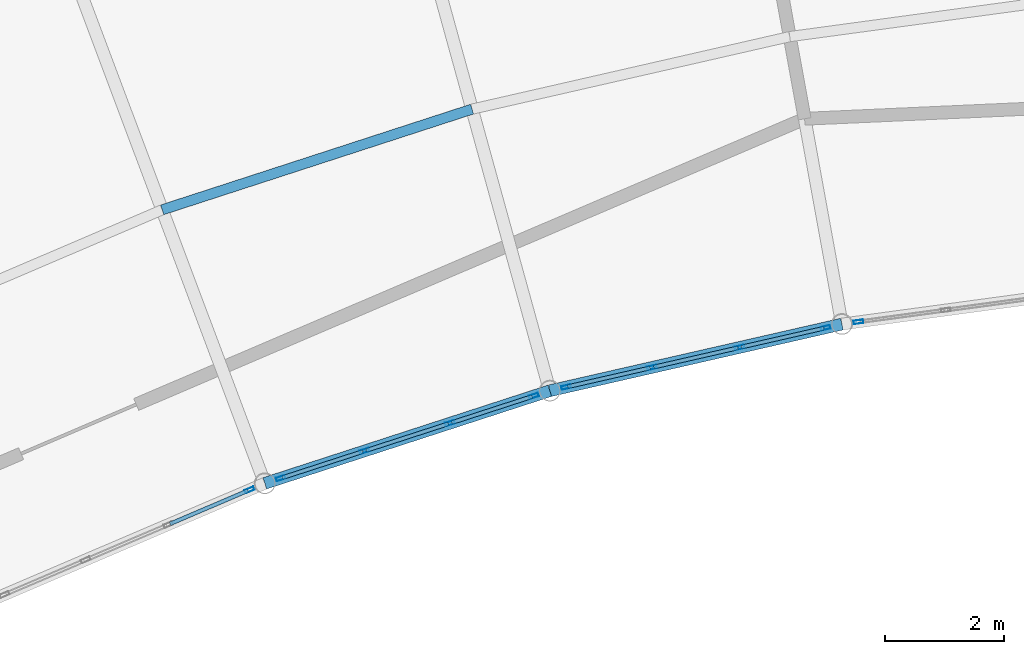
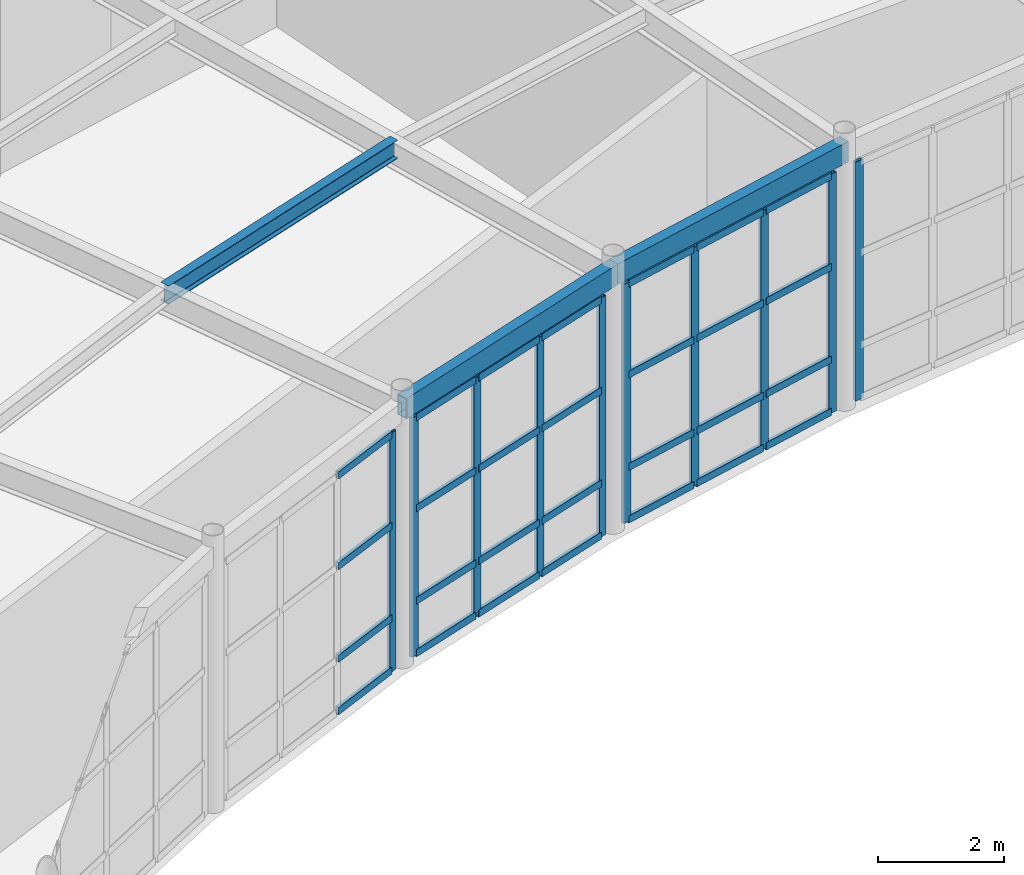
# One storey, part 46 of 87: 38 members, 3 beams, 4 elements without a shape of their own.
"""IFC4 building model written with IfcOpenShell, lengths in metres."""

from ifc_helpers import new_model, si_unit, direction, frame, origin, origin_2d, place, context, subcontext, project, spatial, hollow_rectangle, i_section, extrude, material, layer, layer_set, material_profile, profile_set, type_object, element, aggregate, save


model = new_model("IFC4")

# Units and contexts
model_context = context("Model", 3, precision=1e-05, world=origin(), true_north=direction((0.0, 1.0)))
body_context = subcontext(model_context, "Body", "Model", "MODEL_VIEW")
ifc_project = project(units=[si_unit("LENGTHUNIT", "METRE"), si_unit("AREAUNIT", "SQUARE_METRE"), si_unit("VOLUMEUNIT", "CUBIC_METRE"), si_unit("PLANEANGLEUNIT", "RADIAN"), si_unit("MASSUNIT", "GRAM", prefix="KILO")], contexts=[model_context])

# Site, building, storey
site_placement = place(None, origin())
site = spatial("IfcSite", under=ifc_project, at=site_placement, CompositionType="ELEMENT")
building_placement = place(site_placement, origin())
building = spatial("IfcBuilding", under=site, at=building_placement, Name="Selat Folded Stagehouse", CompositionType="ELEMENT")
storey_placement = place(building_placement, origin())
storey = spatial("IfcBuildingStorey", under=building, at=storey_placement, Name="L00", CompositionType="ELEMENT", Elevation=0.0)

# Curtain wall, member
ifc_material_1 = material(Name="Aluminium 6063-T6", Category="aluminium")
ifc_layer = layer(ifc_material_1, 0.18994140625)
ifc_layer_set = layer_set([ifc_layer], Name="Aluminium 6063-T6")
curtain_wall_type = type_object("IfcCurtainWallType", Name="CW-REH-ARC", PredefinedType="NOTDEFINED", material=ifc_layer_set)
curtain_wall_1_placement = place(storey_placement, origin())
curtain_wall_1 = element("IfcCurtainWall", 1, at=curtain_wall_1_placement, inside=storey, type_object=curtain_wall_type, Name="L00 curtain wall CW-REH-L00-02", PredefinedType="NOTDEFINED")
ifc_material_profile_1 = material_profile(ifc_material_1, hollow_rectangle(XDim=0.06005859375, YDim=0.159912109375, WallThickness=0.00390625, at=origin_2d()), Name="ALU 160x60x4.0")
ifc_profile_set_1 = profile_set([ifc_material_profile_1], Name="Aluminium 6063-T6")
member_type_1 = type_object("IfcMemberType", Name="CWM-MUL-160x60", PredefinedType="MULLION", material=ifc_profile_set_1)
member_1_placement = place(storey_placement, frame((72.465576171875, 90.319091796875, 0.0), z_axis=(0.0, 0.0, 1.0), x_axis=(0.393012226483, -0.919533245639, 0.0)))
member_1 = element("IfcMember", 2, at=member_1_placement, type_object=member_type_1, Name="CW-06 mullion 1", PredefinedType="MULLION", context=body_context, shape_type="SweptSolid", body=[
    extrude(hollow_rectangle(XDim=0.06005859375, YDim=0.159912109375, WallThickness=0.00390625, at=origin_2d()), origin(), (0.0, 0.0, 1.0), 4.64990234375),
])

# Curtain wall, members
curtain_wall_2_placement = place(storey_placement, origin())
curtain_wall_2 = element("IfcCurtainWall", 3, at=curtain_wall_2_placement, inside=storey, type_object=curtain_wall_type, Name="L00 curtain wall CW-REH-L00-03", PredefinedType="NOTDEFINED")
member_2_placement = place(storey_placement, frame((77.235595703125, 91.895263671875, 0.0), z_axis=(0.0, 0.0, 1.0), x_axis=(0.308991620714, -0.951064760323, 0.0)))
member_2 = element("IfcMember", 4, at=member_2_placement, type_object=member_type_1, Name="CW-06 mullion 1", PredefinedType="MULLION", context=body_context, shape_type="SweptSolid", body=[
    extrude(hollow_rectangle(XDim=0.06005859375, YDim=0.159912109375, WallThickness=0.00390625, at=origin_2d()), origin(), (0.0, 0.0, 1.0), 4.64990234375),
])
member_3_placement = place(storey_placement, frame((75.82958984375, 91.4384765625, 0.0), z_axis=(0.0, 0.0, 1.0), x_axis=(0.308991620714, -0.951064760323, 0.0)))
member_3 = element("IfcMember", 5, at=member_3_placement, type_object=member_type_1, Name="CW-06 mullion 2", PredefinedType="MULLION", context=body_context, shape_type="SweptSolid", body=[
    extrude(hollow_rectangle(XDim=0.06005859375, YDim=0.159912109375, WallThickness=0.00390625, at=origin_2d()), origin(), (0.0, 0.0, 1.0), 4.64990234375),
])
member_4_placement = place(storey_placement, frame((74.395263671875, 90.972412109375, 0.0), z_axis=(0.0, 0.0, 1.0), x_axis=(0.308991620714, -0.951064760323, 0.0)))
member_4 = element("IfcMember", 6, at=member_4_placement, type_object=member_type_1, Name="CW-06 mullion 3", PredefinedType="MULLION", context=body_context, shape_type="SweptSolid", body=[
    extrude(hollow_rectangle(XDim=0.06005859375, YDim=0.159912109375, WallThickness=0.00390625, at=origin_2d()), origin(), (0.0, 0.0, 1.0), 4.64990234375),
])
member_5_placement = place(storey_placement, frame((72.9892578125, 90.515869140625, 0.0), z_axis=(0.0, 0.0, 1.0), x_axis=(0.308991620714, -0.951064760323, 0.0)))
member_5 = element("IfcMember", 7, at=member_5_placement, type_object=member_type_1, Name="CW-06 mullion 4", PredefinedType="MULLION", context=body_context, shape_type="SweptSolid", body=[
    extrude(hollow_rectangle(XDim=0.06005859375, YDim=0.159912109375, WallThickness=0.00390625, at=origin_2d()), origin(), (0.0, 0.0, 1.0), 4.64990234375),
])

curtain_wall_3_placement = place(storey_placement, origin())
curtain_wall_3 = element("IfcCurtainWall", 8, at=curtain_wall_3_placement, inside=storey, type_object=curtain_wall_type, Name="L00 curtain wall CW-REH-L00-04", PredefinedType="NOTDEFINED")
member_6_placement = place(storey_placement, frame((82.1279296875, 93.037841796875, 0.0), z_axis=(0.0, 0.0, 1.0), x_axis=(0.222542761079, -0.974922930026, 0.0)))
member_6 = element("IfcMember", 9, at=member_6_placement, type_object=member_type_1, Name="CW-06 mullion 1", PredefinedType="MULLION", context=body_context, shape_type="SweptSolid", body=[
    extrude(hollow_rectangle(XDim=0.06005859375, YDim=0.159912109375, WallThickness=0.00390625, at=origin_2d()), origin(), (0.0, 0.0, 1.0), 4.64990234375),
])
member_7_placement = place(storey_placement, frame((80.6865234375, 92.708740234375, 0.0), z_axis=(0.0, 0.0, 1.0), x_axis=(0.222542761079, -0.974922930026, 0.0)))
member_7 = element("IfcMember", 10, at=member_7_placement, type_object=member_type_1, Name="CW-06 mullion 2", PredefinedType="MULLION", context=body_context, shape_type="SweptSolid", body=[
    extrude(hollow_rectangle(XDim=0.06005859375, YDim=0.159912109375, WallThickness=0.00390625, at=origin_2d()), origin(), (0.0, 0.0, 1.0), 4.64990234375),
])
member_8_placement = place(storey_placement, frame((79.216064453125, 92.373046875, 0.0), z_axis=(0.0, 0.0, 1.0), x_axis=(0.222542761079, -0.974922930026, 0.0)))
member_8 = element("IfcMember", 11, at=member_8_placement, type_object=member_type_1, Name="CW-06 mullion 3", PredefinedType="MULLION", context=body_context, shape_type="SweptSolid", body=[
    extrude(hollow_rectangle(XDim=0.06005859375, YDim=0.159912109375, WallThickness=0.00390625, at=origin_2d()), origin(), (0.0, 0.0, 1.0), 4.64990234375),
])
member_9_placement = place(storey_placement, frame((77.77490234375, 92.044189453125, 0.0), z_axis=(0.0, 0.0, 1.0), x_axis=(0.222542761079, -0.974922930026, 0.0)))
member_9 = element("IfcMember", 12, at=member_9_placement, type_object=member_type_1, Name="CW-06 mullion 4", PredefinedType="MULLION", context=body_context, shape_type="SweptSolid", body=[
    extrude(hollow_rectangle(XDim=0.06005859375, YDim=0.159912109375, WallThickness=0.00390625, at=origin_2d()), origin(), (0.0, 0.0, 1.0), 4.64990234375),
])

# Curtain wall, member
curtain_wall_4_placement = place(storey_placement, origin())
curtain_wall_4 = element("IfcCurtainWall", 13, at=curtain_wall_4_placement, inside=storey, type_object=curtain_wall_type, Name="L00 curtain wall CW-REH-L00-05", PredefinedType="NOTDEFINED")
member_10_placement = place(storey_placement, frame((82.67822265625, 93.1376953125, 0.0), z_axis=(0.0, 0.0, 1.0), x_axis=(0.134211766018, -0.990952673876, 0.0)))
member_10 = element("IfcMember", 14, at=member_10_placement, type_object=member_type_1, Name="CW-06 mullion 4", PredefinedType="MULLION", context=body_context, shape_type="SweptSolid", body=[
    extrude(hollow_rectangle(XDim=0.06005859375, YDim=0.159912109375, WallThickness=0.00390625, at=origin_2d()), origin(), (0.0, 0.0, 1.0), 4.64990234375),
])
aggregate(curtain_wall_4, [member_10])

# Member
ifc_material_profile_2 = material_profile(ifc_material_1, hollow_rectangle(XDim=0.06494140625, YDim=0.139892578125, WallThickness=0.00390625, at=origin_2d()), Name="ALU 140x65x4.0")
ifc_profile_set_2 = profile_set([ifc_material_profile_2], Name="Aluminium 6063-T6")
member_type_2 = type_object("IfcMemberType", Name="CWM-TRN-140x65", PredefinedType="USERDEFINED", material=ifc_profile_set_2)
member_11_placement = place(storey_placement, frame((72.43798828125, 90.307373046875, 0.032470703125), z_axis=(-0.919545213655, -0.392984223657, 0.0), x_axis=(0.392984223657, -0.919545213655, 0.0)))
member_11 = element("IfcMember", 15, at=member_11_placement, type_object=member_type_2, Name="CW-06 transom 1.1", ObjectType="TRANSOM", PredefinedType="USERDEFINED", context=body_context, shape_type="SweptSolid", body=[
    extrude(hollow_rectangle(XDim=0.06494140625, YDim=0.139892578125, WallThickness=0.00390625, at=origin_2d()), origin(), (0.0, 0.0, 1.0), 1.418212890625),
])

member_12_placement = place(storey_placement, frame((72.43798828125, 90.307373046875, 1.050048828125), z_axis=(-0.919545213655, -0.392984223657, 0.0), x_axis=(0.392984223657, -0.919545213655, 0.0)))
member_12 = element("IfcMember", 16, at=member_12_placement, type_object=member_type_2, Name="CW-06 transom 1.2", ObjectType="TRANSOM", PredefinedType="USERDEFINED", context=body_context, shape_type="SweptSolid", body=[
    extrude(hollow_rectangle(XDim=0.06494140625, YDim=0.139892578125, WallThickness=0.00390625, at=origin_2d()), origin(), (0.0, 0.0, 1.0), 1.418212890625),
])

member_13_placement = place(storey_placement, frame((72.43798828125, 90.307373046875, 2.85009765625), z_axis=(-0.919545213655, -0.392984223657, 0.0), x_axis=(0.392984223657, -0.919545213655, 0.0)))
member_13 = element("IfcMember", 17, at=member_13_placement, type_object=member_type_2, Name="CW-06 transom 1.3", ObjectType="TRANSOM", PredefinedType="USERDEFINED", context=body_context, shape_type="SweptSolid", body=[
    extrude(hollow_rectangle(XDim=0.06494140625, YDim=0.139892578125, WallThickness=0.00390625, at=origin_2d()), origin(), (0.0, 0.0, 1.0), 1.418212890625),
])

member_14_placement = place(storey_placement, frame((72.43798828125, 90.307373046875, 4.617431640625), z_axis=(-0.919545213655, -0.392984223657, 0.0), x_axis=(0.392984223657, -0.919545213655, 0.0)))
member_14 = element("IfcMember", 18, at=member_14_placement, type_object=member_type_2, Name="CW-06 transom 1.4", ObjectType="TRANSOM", PredefinedType="USERDEFINED", context=body_context, shape_type="SweptSolid", body=[
    extrude(hollow_rectangle(XDim=0.06494140625, YDim=0.139892578125, WallThickness=0.00390625, at=origin_2d()), origin(), (0.0, 0.0, 1.0), 1.418212890625),
])

aggregate(curtain_wall_1, [member_1, member_11, member_12, member_13, member_14])

member_15_placement = place(storey_placement, frame((77.20703125, 91.885986328125, 0.032470703125), z_axis=(-0.951065688988, -0.308988762305, 0.0), x_axis=(0.308988762305, -0.951065688988, 0.0)))
member_15 = element("IfcMember", 19, at=member_15_placement, type_object=member_type_2, Name="CW-06 transom 1.1", ObjectType="TRANSOM", PredefinedType="USERDEFINED", context=body_context, shape_type="SweptSolid", body=[
    extrude(hollow_rectangle(XDim=0.06494140625, YDim=0.139892578125, WallThickness=0.00390625, at=origin_2d()), origin(), (0.0, 0.0, 1.0), 1.418212890625),
])

member_16_placement = place(storey_placement, frame((77.20703125, 91.885986328125, 1.050048828125), z_axis=(-0.951065688988, -0.308988762305, 0.0), x_axis=(0.308988762305, -0.951065688988, 0.0)))
member_16 = element("IfcMember", 20, at=member_16_placement, type_object=member_type_2, Name="CW-06 transom 1.2", ObjectType="TRANSOM", PredefinedType="USERDEFINED", context=body_context, shape_type="SweptSolid", body=[
    extrude(hollow_rectangle(XDim=0.06494140625, YDim=0.139892578125, WallThickness=0.00390625, at=origin_2d()), origin(), (0.0, 0.0, 1.0), 1.418212890625),
])

member_17_placement = place(storey_placement, frame((77.20703125, 91.885986328125, 2.85009765625), z_axis=(-0.951065688988, -0.308988762305, 0.0), x_axis=(0.308988762305, -0.951065688988, 0.0)))
member_17 = element("IfcMember", 21, at=member_17_placement, type_object=member_type_2, Name="CW-06 transom 1.3", ObjectType="TRANSOM", PredefinedType="USERDEFINED", context=body_context, shape_type="SweptSolid", body=[
    extrude(hollow_rectangle(XDim=0.06494140625, YDim=0.139892578125, WallThickness=0.00390625, at=origin_2d()), origin(), (0.0, 0.0, 1.0), 1.418212890625),
])

member_18_placement = place(storey_placement, frame((77.20703125, 91.885986328125, 4.617431640625), z_axis=(-0.951065688988, -0.308988762305, 0.0), x_axis=(0.308988762305, -0.951065688988, 0.0)))
member_18 = element("IfcMember", 22, at=member_18_placement, type_object=member_type_2, Name="CW-06 transom 1.4", ObjectType="TRANSOM", PredefinedType="USERDEFINED", context=body_context, shape_type="SweptSolid", body=[
    extrude(hollow_rectangle(XDim=0.06494140625, YDim=0.139892578125, WallThickness=0.00390625, at=origin_2d()), origin(), (0.0, 0.0, 1.0), 1.418212890625),
])

member_19_placement = place(storey_placement, frame((75.801025390625, 91.42919921875, 0.032470703125), z_axis=(-0.951050174126, -0.309036512883, 0.0), x_axis=(0.309036512883, -0.951050174126, 0.0)))
member_19 = element("IfcMember", 23, at=member_19_placement, type_object=member_type_2, Name="CW-06 transom 2.1", ObjectType="TRANSOM", PredefinedType="USERDEFINED", context=body_context, shape_type="SweptSolid", body=[
    extrude(hollow_rectangle(XDim=0.06494140625, YDim=0.139892578125, WallThickness=0.00390625, at=origin_2d()), origin(), (0.0, 0.0, 1.0), 1.447998046875),
])

member_20_placement = place(storey_placement, frame((75.801025390625, 91.42919921875, 1.050048828125), z_axis=(-0.951050174126, -0.309036512883, 0.0), x_axis=(0.309036512883, -0.951050174126, 0.0)))
member_20 = element("IfcMember", 24, at=member_20_placement, type_object=member_type_2, Name="CW-06 transom 2.2", ObjectType="TRANSOM", PredefinedType="USERDEFINED", context=body_context, shape_type="SweptSolid", body=[
    extrude(hollow_rectangle(XDim=0.06494140625, YDim=0.139892578125, WallThickness=0.00390625, at=origin_2d()), origin(), (0.0, 0.0, 1.0), 1.447998046875),
])

member_21_placement = place(storey_placement, frame((75.801025390625, 91.42919921875, 2.85009765625), z_axis=(-0.951050174126, -0.309036512883, 0.0), x_axis=(0.309036512883, -0.951050174126, 0.0)))
member_21 = element("IfcMember", 25, at=member_21_placement, type_object=member_type_2, Name="CW-06 transom 2.3", ObjectType="TRANSOM", PredefinedType="USERDEFINED", context=body_context, shape_type="SweptSolid", body=[
    extrude(hollow_rectangle(XDim=0.06494140625, YDim=0.139892578125, WallThickness=0.00390625, at=origin_2d()), origin(), (0.0, 0.0, 1.0), 1.447998046875),
])

member_22_placement = place(storey_placement, frame((75.801025390625, 91.42919921875, 4.617431640625), z_axis=(-0.951050174126, -0.309036512883, 0.0), x_axis=(0.309036512883, -0.951050174126, 0.0)))
member_22 = element("IfcMember", 26, at=member_22_placement, type_object=member_type_2, Name="CW-06 transom 2.4", ObjectType="TRANSOM", PredefinedType="USERDEFINED", context=body_context, shape_type="SweptSolid", body=[
    extrude(hollow_rectangle(XDim=0.06494140625, YDim=0.139892578125, WallThickness=0.00390625, at=origin_2d()), origin(), (0.0, 0.0, 1.0), 1.447998046875),
])

member_23_placement = place(storey_placement, frame((74.36669921875, 90.96337890625, 0.032470703125), z_axis=(-0.951065688988, -0.308988762305, 0.0), x_axis=(0.308988762305, -0.951065688988, 0.0)))
member_23 = element("IfcMember", 27, at=member_23_placement, type_object=member_type_2, Name="CW-06 transom 3.1", ObjectType="TRANSOM", PredefinedType="USERDEFINED", context=body_context, shape_type="SweptSolid", body=[
    extrude(hollow_rectangle(XDim=0.06494140625, YDim=0.139892578125, WallThickness=0.00390625, at=origin_2d()), origin(), (0.0, 0.0, 1.0), 1.418212890625),
])

member_24_placement = place(storey_placement, frame((74.36669921875, 90.96337890625, 1.050048828125), z_axis=(-0.951065688988, -0.308988762305, 0.0), x_axis=(0.308988762305, -0.951065688988, 0.0)))
member_24 = element("IfcMember", 28, at=member_24_placement, type_object=member_type_2, Name="CW-06 transom 3.2", ObjectType="TRANSOM", PredefinedType="USERDEFINED", context=body_context, shape_type="SweptSolid", body=[
    extrude(hollow_rectangle(XDim=0.06494140625, YDim=0.139892578125, WallThickness=0.00390625, at=origin_2d()), origin(), (0.0, 0.0, 1.0), 1.418212890625),
])

member_25_placement = place(storey_placement, frame((74.36669921875, 90.96337890625, 2.85009765625), z_axis=(-0.951065688988, -0.308988762305, 0.0), x_axis=(0.308988762305, -0.951065688988, 0.0)))
member_25 = element("IfcMember", 29, at=member_25_placement, type_object=member_type_2, Name="CW-06 transom 3.3", ObjectType="TRANSOM", PredefinedType="USERDEFINED", context=body_context, shape_type="SweptSolid", body=[
    extrude(hollow_rectangle(XDim=0.06494140625, YDim=0.139892578125, WallThickness=0.00390625, at=origin_2d()), origin(), (0.0, 0.0, 1.0), 1.418212890625),
])

member_26_placement = place(storey_placement, frame((74.36669921875, 90.96337890625, 4.617431640625), z_axis=(-0.951065688988, -0.308988762305, 0.0), x_axis=(0.308988762305, -0.951065688988, 0.0)))
member_26 = element("IfcMember", 30, at=member_26_placement, type_object=member_type_2, Name="CW-06 transom 3.4", ObjectType="TRANSOM", PredefinedType="USERDEFINED", context=body_context, shape_type="SweptSolid", body=[
    extrude(hollow_rectangle(XDim=0.06494140625, YDim=0.139892578125, WallThickness=0.00390625, at=origin_2d()), origin(), (0.0, 0.0, 1.0), 1.418212890625),
])

aggregate(curtain_wall_2, [member_2, member_3, member_4, member_5, member_15, member_16, member_17, member_18, member_19, member_20, member_21, member_22, member_23, member_24, member_25, member_26])

member_27_placement = place(storey_placement, frame((82.0986328125, 93.03125, 0.032470703125), z_axis=(-0.974919361771, -0.222558392438, 0.0), x_axis=(0.222558392438, -0.974919361771, 0.0)))
member_27 = element("IfcMember", 31, at=member_27_placement, type_object=member_type_2, Name="CW-06 transom 1.1", ObjectType="TRANSOM", PredefinedType="USERDEFINED", context=body_context, shape_type="SweptSolid", body=[
    extrude(hollow_rectangle(XDim=0.06494140625, YDim=0.139892578125, WallThickness=0.00390625, at=origin_2d()), origin(), (0.0, 0.0, 1.0), 1.41845703125),
])

member_28_placement = place(storey_placement, frame((82.0986328125, 93.03125, 1.050048828125), z_axis=(-0.974919361771, -0.222558392438, 0.0), x_axis=(0.222558392438, -0.974919361771, 0.0)))
member_28 = element("IfcMember", 32, at=member_28_placement, type_object=member_type_2, Name="CW-06 transom 1.2", ObjectType="TRANSOM", PredefinedType="USERDEFINED", context=body_context, shape_type="SweptSolid", body=[
    extrude(hollow_rectangle(XDim=0.06494140625, YDim=0.139892578125, WallThickness=0.00390625, at=origin_2d()), origin(), (0.0, 0.0, 1.0), 1.41845703125),
])

member_29_placement = place(storey_placement, frame((82.0986328125, 93.03125, 2.85009765625), z_axis=(-0.974919361771, -0.222558392438, 0.0), x_axis=(0.222558392438, -0.974919361771, 0.0)))
member_29 = element("IfcMember", 33, at=member_29_placement, type_object=member_type_2, Name="CW-06 transom 1.3", ObjectType="TRANSOM", PredefinedType="USERDEFINED", context=body_context, shape_type="SweptSolid", body=[
    extrude(hollow_rectangle(XDim=0.06494140625, YDim=0.139892578125, WallThickness=0.00390625, at=origin_2d()), origin(), (0.0, 0.0, 1.0), 1.41845703125),
])

member_30_placement = place(storey_placement, frame((82.0986328125, 93.03125, 4.617431640625), z_axis=(-0.974919361771, -0.222558392438, 0.0), x_axis=(0.222558392438, -0.974919361771, 0.0)))
member_30 = element("IfcMember", 34, at=member_30_placement, type_object=member_type_2, Name="CW-06 transom 1.4", ObjectType="TRANSOM", PredefinedType="USERDEFINED", context=body_context, shape_type="SweptSolid", body=[
    extrude(hollow_rectangle(XDim=0.06494140625, YDim=0.139892578125, WallThickness=0.00390625, at=origin_2d()), origin(), (0.0, 0.0, 1.0), 1.41845703125),
])

member_31_placement = place(storey_placement, frame((80.657470703125, 92.7021484375, 0.032470703125), z_axis=(-0.974933771932, -0.222495259155, 0.0), x_axis=(0.222495259155, -0.974933771932, 0.0)))
member_31 = element("IfcMember", 35, at=member_31_placement, type_object=member_type_2, Name="CW-06 transom 2.1", ObjectType="TRANSOM", PredefinedType="USERDEFINED", context=body_context, shape_type="SweptSolid", body=[
    extrude(hollow_rectangle(XDim=0.06494140625, YDim=0.139892578125, WallThickness=0.00390625, at=origin_2d()), origin(), (0.0, 0.0, 1.0), 1.448486328125),
])

member_32_placement = place(storey_placement, frame((80.657470703125, 92.7021484375, 1.050048828125), z_axis=(-0.974933771932, -0.222495259155, 0.0), x_axis=(0.222495259155, -0.974933771932, 0.0)))
member_32 = element("IfcMember", 36, at=member_32_placement, type_object=member_type_2, Name="CW-06 transom 2.2", ObjectType="TRANSOM", PredefinedType="USERDEFINED", context=body_context, shape_type="SweptSolid", body=[
    extrude(hollow_rectangle(XDim=0.06494140625, YDim=0.139892578125, WallThickness=0.00390625, at=origin_2d()), origin(), (0.0, 0.0, 1.0), 1.448486328125),
])

member_33_placement = place(storey_placement, frame((80.657470703125, 92.7021484375, 2.85009765625), z_axis=(-0.974933771932, -0.222495259155, 0.0), x_axis=(0.222495259155, -0.974933771932, 0.0)))
member_33 = element("IfcMember", 37, at=member_33_placement, type_object=member_type_2, Name="CW-06 transom 2.3", ObjectType="TRANSOM", PredefinedType="USERDEFINED", context=body_context, shape_type="SweptSolid", body=[
    extrude(hollow_rectangle(XDim=0.06494140625, YDim=0.139892578125, WallThickness=0.00390625, at=origin_2d()), origin(), (0.0, 0.0, 1.0), 1.448486328125),
])

member_34_placement = place(storey_placement, frame((80.657470703125, 92.7021484375, 4.617431640625), z_axis=(-0.974933771932, -0.222495259155, 0.0), x_axis=(0.222495259155, -0.974933771932, 0.0)))
member_34 = element("IfcMember", 38, at=member_34_placement, type_object=member_type_2, Name="CW-06 transom 2.4", ObjectType="TRANSOM", PredefinedType="USERDEFINED", context=body_context, shape_type="SweptSolid", body=[
    extrude(hollow_rectangle(XDim=0.06494140625, YDim=0.139892578125, WallThickness=0.00390625, at=origin_2d()), origin(), (0.0, 0.0, 1.0), 1.448486328125),
])

member_35_placement = place(storey_placement, frame((79.186767578125, 92.366455078125, 0.032470703125), z_axis=(-0.974910833858, -0.222595745749, 0.0), x_axis=(0.222595745749, -0.974910833858, 0.0)))
member_35 = element("IfcMember", 39, at=member_35_placement, type_object=member_type_2, Name="CW-06 transom 3.1", ObjectType="TRANSOM", PredefinedType="USERDEFINED", context=body_context, shape_type="SweptSolid", body=[
    extrude(hollow_rectangle(XDim=0.06494140625, YDim=0.139892578125, WallThickness=0.00390625, at=origin_2d()), origin(), (0.0, 0.0, 1.0), 1.418212890625),
])

member_36_placement = place(storey_placement, frame((79.186767578125, 92.366455078125, 1.050048828125), z_axis=(-0.974910833858, -0.222595745749, 0.0), x_axis=(0.222595745749, -0.974910833858, 0.0)))
member_36 = element("IfcMember", 40, at=member_36_placement, type_object=member_type_2, Name="CW-06 transom 3.2", ObjectType="TRANSOM", PredefinedType="USERDEFINED", context=body_context, shape_type="SweptSolid", body=[
    extrude(hollow_rectangle(XDim=0.06494140625, YDim=0.139892578125, WallThickness=0.00390625, at=origin_2d()), origin(), (0.0, 0.0, 1.0), 1.418212890625),
])

member_37_placement = place(storey_placement, frame((79.186767578125, 92.366455078125, 2.85009765625), z_axis=(-0.974910833858, -0.222595745749, 0.0), x_axis=(0.222595745749, -0.974910833858, 0.0)))
member_37 = element("IfcMember", 41, at=member_37_placement, type_object=member_type_2, Name="CW-06 transom 3.3", ObjectType="TRANSOM", PredefinedType="USERDEFINED", context=body_context, shape_type="SweptSolid", body=[
    extrude(hollow_rectangle(XDim=0.06494140625, YDim=0.139892578125, WallThickness=0.00390625, at=origin_2d()), origin(), (0.0, 0.0, 1.0), 1.418212890625),
])

member_38_placement = place(storey_placement, frame((79.186767578125, 92.366455078125, 4.617431640625), z_axis=(-0.974910833858, -0.222595745749, 0.0), x_axis=(0.222595745749, -0.974910833858, 0.0)))
member_38 = element("IfcMember", 42, at=member_38_placement, type_object=member_type_2, Name="CW-06 transom 3.4", ObjectType="TRANSOM", PredefinedType="USERDEFINED", context=body_context, shape_type="SweptSolid", body=[
    extrude(hollow_rectangle(XDim=0.06494140625, YDim=0.139892578125, WallThickness=0.00390625, at=origin_2d()), origin(), (0.0, 0.0, 1.0), 1.418212890625),
])

aggregate(curtain_wall_3, [member_6, member_7, member_8, member_9, member_27, member_28, member_29, member_30, member_31, member_32, member_33, member_34, member_35, member_36, member_37, member_38])

# Beams
ifc_material_2 = material(Name="Steel S355", Category="steel")
ifc_material_profile_3 = material_profile(ifc_material_2, i_section(OverallWidth=0.17138671875, OverallDepth=0.35498046875, WebThickness=0.00732421875, FlangeThickness=0.011474609375, FilletRadius=0.01025390625, at=origin_2d()), Name="UKB 356x171x51")
ifc_profile_set_3 = profile_set([ifc_material_profile_3], Name="Steel S355")
beam_type_1 = type_object("IfcBeamType", Name="JST-356x171x51", PredefinedType="JOIST", material=ifc_profile_set_3)
beam_placement = place(storey_placement, frame((71.001220703125, 95.0166015625, 5.00244140625), z_axis=(0.951050811942, 0.309034550017, 0.0), x_axis=(-0.309034550017, 0.951050811942, 0.0)))
element("IfcBeam", 43, at=beam_placement, inside=storey, type_object=beam_type_1, Name="L00 curved rehearsal secondary joist 4.1", PredefinedType="JOIST", context=body_context, shape_type="SweptSolid", body=[
    extrude(i_section(OverallWidth=0.17138671875, OverallDepth=0.35498046875, WebThickness=0.00732421875, FlangeThickness=0.011474609375, FilletRadius=0.01025390625, at=origin_2d()), origin(), (0.0, 0.0, 1.0), 5.464599609375),
])
ifc_material_profile_4 = material_profile(ifc_material_2, hollow_rectangle(XDim=0.199951171875, YDim=0.39990234375, WallThickness=0.012451171875, at=origin_2d()), Name="RHS 400x200x12.5")
ifc_profile_set_4 = profile_set([ifc_material_profile_4], Name="Steel S355")
beam_type_2 = type_object("IfcBeamType", Name="SPD-EXT-400x200", PredefinedType="SPANDREL", material=ifc_profile_set_4)
for number, where, z_axis, x_axis, name in (
    (44, (72.722900390625, 90.42919921875, 4.97998046875), (0.951060843481, 0.309003676349, 0.0), (-0.309003676349, 0.951060843481, 0.0), "L00 inner curved rehearsal spandrel 4"),
    (45, (77.501953125, 91.98193359375, 4.97998046875), (0.974927211846, 0.222524002305, 0.0), (-0.222524002305, 0.974927211846, 0.0), "L00 inner curved rehearsal spandrel 5"),
):
    element("IfcBeam", number, at=place(storey_placement, frame(where, z_axis=z_axis, x_axis=x_axis)), inside=storey, type_object=beam_type_2, Name=name, PredefinedType="SPANDREL", context=body_context, shape_type="SweptSolid", body=[
        extrude(hollow_rectangle(XDim=0.199951171875, YDim=0.39990234375, WallThickness=0.012451171875, at=origin_2d()), origin(), (0.0, 0.0, 1.0), 5.02490234375),
    ])

save(model, "model.ifc")
